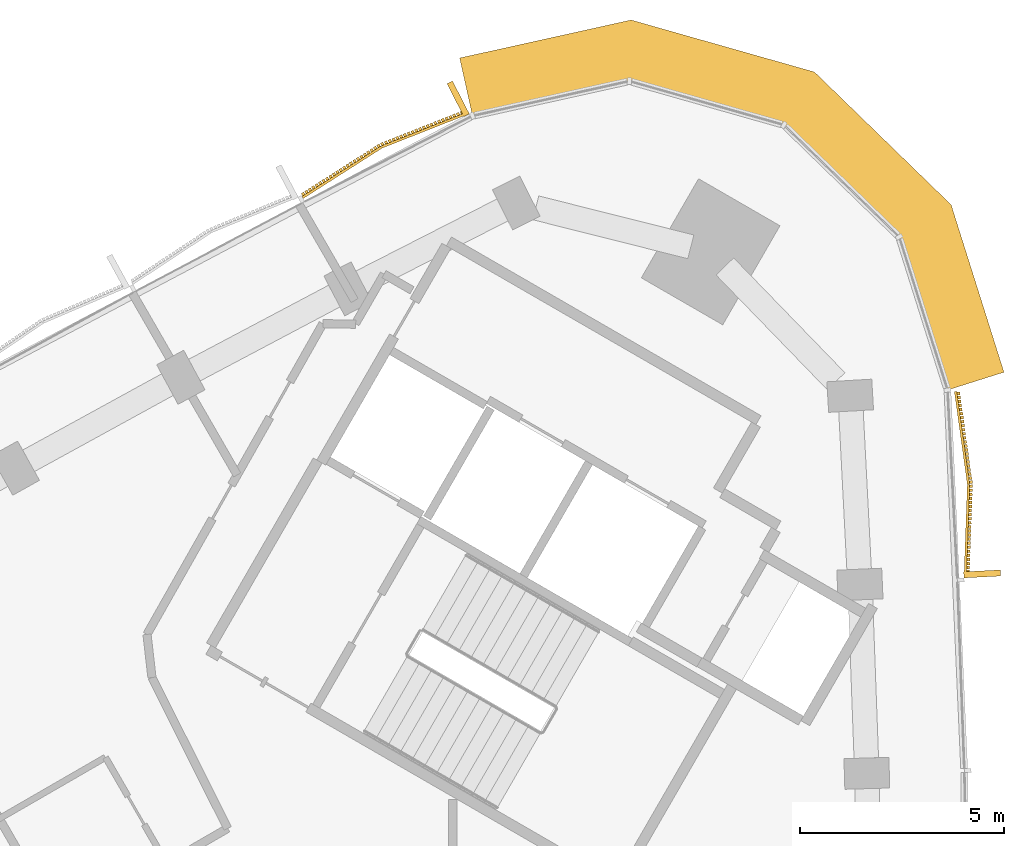
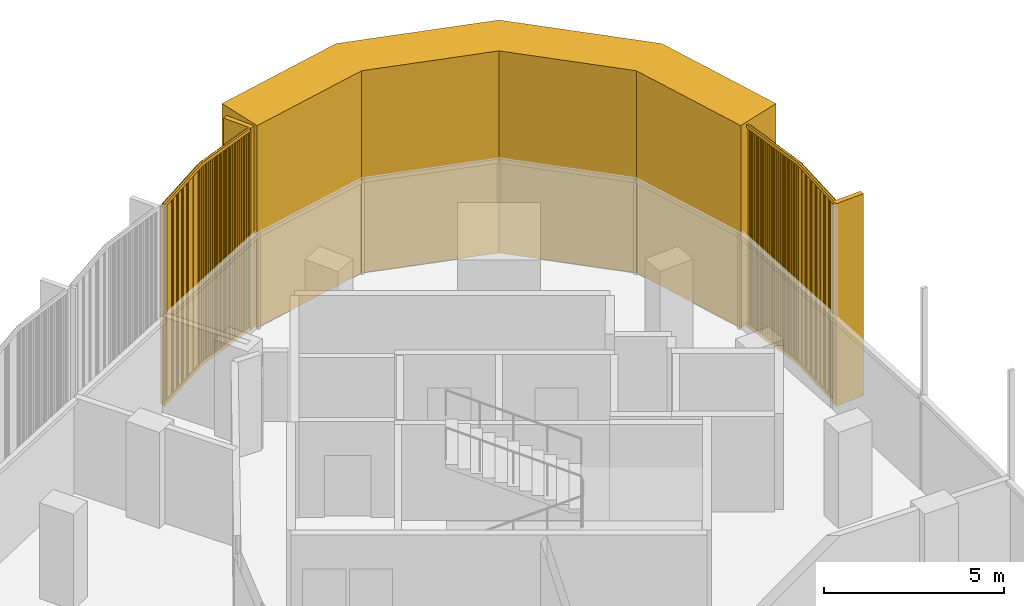
# One storey, part 16 of 16: 3 coverings.
"""IFC4 building model written with IfcOpenShell, lengths in metres."""

from ifc_helpers import new_model, si_unit, direction, frame, frame_2d, origin, place, context, subcontext, project, spatial, polyline, rectangle, outline, extrude, source, transform, mapped, material, layer, layer_set, type_object, element, save


model = new_model("IFC4")

# Units and contexts
model_context = context("Model", 3, precision=1e-05, world=origin(), true_north=direction((0.0, 1.0)))
body_context = subcontext(model_context, "Body", "Model", "MODEL_VIEW")
ifc_project = project(units=[si_unit("LENGTHUNIT", "METRE"), si_unit("AREAUNIT", "SQUARE_METRE"), si_unit("VOLUMEUNIT", "CUBIC_METRE"), si_unit("PLANEANGLEUNIT", "RADIAN"), si_unit("MASSUNIT", "GRAM", prefix="KILO")], contexts=[model_context])

# Site, building, storey
site_placement = place(None, origin())
site = spatial("IfcSite", under=ifc_project, at=site_placement, CompositionType="ELEMENT")
building_placement = place(site_placement, origin())
building = spatial("IfcBuilding", under=site, at=building_placement, Name="Tamra Quay Hotel Tower", CompositionType="ELEMENT")
storey_placement = place(building_placement, frame((0.0, 0.0, 243.0)))
storey = spatial("IfcBuildingStorey", under=building, at=storey_placement, Name="L61", CompositionType="ELEMENT", Elevation=243.0)

# Coverings
ifc_material_1 = material(Name="Precast concrete M60 terracotta-coloured", Category="masonry")
ifc_layer = layer(ifc_material_1, 1.449951171875)
ifc_layer_set = layer_set([ifc_layer], Name="CORNER PIER PANEL")
covering_type_1 = type_object("IfcCoveringType", Name="CORNER PIER PANEL", PredefinedType="CLADDING", material=ifc_layer_set)
covering_1_placement = place(storey_placement, origin())
element("IfcCovering", 1, at=covering_1_placement, inside=storey, type_object=covering_type_1, Name="Corner pier L61.east", PredefinedType="CLADDING", context=body_context, shape_type="SweptSolid", body=[
    extrude(outline(polyline([(18.50732421875, 18.63037109375), (19.89013671875, 19.066650390625), (18.5966796875, 23.165771484375), (15.250732421875, 26.415283203125), (10.763671875, 27.68798828125), (6.567138671875, 26.758544921875), (6.880615234375, 25.343017578125), (10.719970703125, 26.193115234375), (14.503173828125, 25.1201171875), (17.323974609375, 22.38037109375), (18.50732421875, 18.63037109375)])), origin(), (0.0, 0.0, 1.0), 6.85009765625),
])
ifc_material_2 = material(Name="Terracotta baguette extruded", Category="masonry")
covering_type_2 = type_object("IfcCoveringType", Name="BAGUETTE SCREEN E-V H6850", PredefinedType="USERDEFINED", material=ifc_material_2)
shared_shape_1 = source(origin(), body_context, "Body", "SweptSolid", [
    extrude(rectangle(XDim=2.291259765625, YDim=0.06005859375, at=frame_2d((1.1455078125, 0.030029296875))), frame((-2.287841796875, -0.057861328125, -0.1201171875), z_axis=(0.0, 0.0, 1.0), x_axis=(0.996194698092, -0.087155742748, 0.0)), (0.0, 0.0, 1.0), 0.1201171875),
    extrude(rectangle(XDim=2.291259765625, YDim=0.06005859375, at=frame_2d((1.1455078125, 0.030029296875))), frame((-2.287841796875, -0.057861328125, -6.85009765625), z_axis=(0.0, 0.0, 1.0), x_axis=(0.996194698092, -0.087155742748, 0.0)), (0.0, 0.0, 1.0), 0.1201171875),
    extrude(rectangle(XDim=0.070068359375, YDim=0.10009765625, at=frame_2d((0.03515625, 0.050048828125))), frame((-2.267822265625, -0.13232421875, -6.7900390625)), (0.0, 0.0, 1.0), 6.72998046875),
    extrude(rectangle(XDim=0.070068359375, YDim=0.10009765625, at=frame_2d((0.03515625, 0.050048828125))), frame((-2.168701171875, -0.14111328125, -6.7900390625)), (0.0, 0.0, 1.0), 6.72998046875),
    extrude(rectangle(XDim=0.070068359375, YDim=0.10009765625, at=frame_2d((0.03515625, 0.050048828125))), frame((-2.0693359375, -0.149658203125, -6.7900390625)), (0.0, 0.0, 1.0), 6.72998046875),
    extrude(rectangle(XDim=0.070068359375, YDim=0.10009765625, at=frame_2d((0.03515625, 0.050048828125))), frame((-1.97021484375, -0.158447265625, -6.7900390625)), (0.0, 0.0, 1.0), 6.72998046875),
    extrude(rectangle(XDim=0.070068359375, YDim=0.10009765625, at=frame_2d((0.03515625, 0.050048828125))), frame((-1.870849609375, -0.1669921875, -6.7900390625)), (0.0, 0.0, 1.0), 6.72998046875),
    extrude(rectangle(XDim=0.070068359375, YDim=0.10009765625, at=frame_2d((0.03515625, 0.050048828125))), frame((-1.771728515625, -0.17578125, -6.7900390625)), (0.0, 0.0, 1.0), 6.72998046875),
    extrude(rectangle(XDim=0.070068359375, YDim=0.10009765625, at=frame_2d((0.03515625, 0.050048828125))), frame((-1.67236328125, -0.184326171875, -6.7900390625)), (0.0, 0.0, 1.0), 6.72998046875),
    extrude(rectangle(XDim=0.070068359375, YDim=0.10009765625, at=frame_2d((0.03515625, 0.050048828125))), frame((-1.5732421875, -0.193115234375, -6.7900390625)), (0.0, 0.0, 1.0), 6.72998046875),
    extrude(rectangle(XDim=0.070068359375, YDim=0.10009765625, at=frame_2d((0.03515625, 0.050048828125))), frame((-1.473876953125, -0.201904296875, -6.7900390625)), (0.0, 0.0, 1.0), 6.72998046875),
    extrude(rectangle(XDim=0.070068359375, YDim=0.10009765625, at=frame_2d((0.03515625, 0.050048828125))), frame((-1.374755859375, -0.21044921875, -6.7900390625)), (0.0, 0.0, 1.0), 6.72998046875),
    extrude(rectangle(XDim=0.070068359375, YDim=0.10009765625, at=frame_2d((0.03515625, 0.050048828125))), frame((-1.275390625, -0.21923828125, -6.7900390625)), (0.0, 0.0, 1.0), 6.72998046875),
    extrude(rectangle(XDim=0.070068359375, YDim=0.10009765625, at=frame_2d((0.03515625, 0.050048828125))), frame((-1.17626953125, -0.227783203125, -6.7900390625)), (0.0, 0.0, 1.0), 6.72998046875),
    extrude(rectangle(XDim=0.070068359375, YDim=0.10009765625, at=frame_2d((0.03515625, 0.050048828125))), frame((-1.076904296875, -0.236572265625, -6.7900390625)), (0.0, 0.0, 1.0), 6.72998046875),
    extrude(rectangle(XDim=0.070068359375, YDim=0.10009765625, at=frame_2d((0.03515625, 0.050048828125))), frame((-0.977783203125, -0.2451171875, -6.7900390625)), (0.0, 0.0, 1.0), 6.72998046875),
    extrude(rectangle(XDim=0.070068359375, YDim=0.10009765625, at=frame_2d((0.03515625, 0.050048828125))), frame((-0.87841796875, -0.25390625, -6.7900390625)), (0.0, 0.0, 1.0), 6.72998046875),
    extrude(rectangle(XDim=0.070068359375, YDim=0.10009765625, at=frame_2d((0.03515625, 0.050048828125))), frame((-0.779296875, -0.2626953125, -6.7900390625)), (0.0, 0.0, 1.0), 6.72998046875),
    extrude(rectangle(XDim=0.070068359375, YDim=0.10009765625, at=frame_2d((0.03515625, 0.050048828125))), frame((-0.679931640625, -0.271240234375, -6.7900390625)), (0.0, 0.0, 1.0), 6.72998046875),
    extrude(rectangle(XDim=0.070068359375, YDim=0.10009765625, at=frame_2d((0.03515625, 0.050048828125))), frame((-0.580810546875, -0.280029296875, -6.7900390625)), (0.0, 0.0, 1.0), 6.72998046875),
    extrude(rectangle(XDim=0.070068359375, YDim=0.10009765625, at=frame_2d((0.03515625, 0.050048828125))), frame((-0.481689453125, -0.28857421875, -6.7900390625)), (0.0, 0.0, 1.0), 6.72998046875),
    extrude(rectangle(XDim=0.070068359375, YDim=0.10009765625, at=frame_2d((0.03515625, 0.050048828125))), frame((-0.38232421875, -0.29736328125, -6.7900390625)), (0.0, 0.0, 1.0), 6.72998046875),
    extrude(rectangle(XDim=0.070068359375, YDim=0.10009765625, at=frame_2d((0.03515625, 0.050048828125))), frame((-0.283203125, -0.305908203125, -6.7900390625)), (0.0, 0.0, 1.0), 6.72998046875),
    extrude(rectangle(XDim=0.070068359375, YDim=0.10009765625, at=frame_2d((0.03515625, 0.050048828125))), frame((-0.183837890625, -0.314697265625, -6.7900390625)), (0.0, 0.0, 1.0), 6.72998046875),
    extrude(rectangle(XDim=0.070068359375, YDim=0.10009765625, at=frame_2d((0.03515625, 0.050048828125))), frame((-0.084716796875, -0.3232421875, -6.7900390625)), (0.0, 0.0, 1.0), 6.72998046875),
    extrude(rectangle(XDim=2.291259765625, YDim=0.06005859375, at=frame_2d((1.1455078125, 0.030029296875))), frame((0.005126953125, -0.257568359375, -0.1201171875), z_axis=(0.0, 0.0, 1.0), x_axis=(0.996194698092, 0.087155742748, 0.0)), (0.0, 0.0, 1.0), 0.1201171875),
    extrude(rectangle(XDim=2.291259765625, YDim=0.06005859375, at=frame_2d((1.1455078125, 0.030029296875))), frame((0.005126953125, -0.257568359375, -6.85009765625), z_axis=(0.0, 0.0, 1.0), x_axis=(0.996194698092, 0.087155742748, 0.0)), (0.0, 0.0, 1.0), 0.1201171875),
    extrude(rectangle(XDim=0.070068359375, YDim=0.10009765625, at=frame_2d((0.03515625, 0.050048828125))), frame((0.0146484375, -0.3232421875, -6.7900390625)), (0.0, 0.0, 1.0), 6.72998046875),
    extrude(rectangle(XDim=0.070068359375, YDim=0.10009765625, at=frame_2d((0.03515625, 0.050048828125))), frame((0.11376953125, -0.314697265625, -6.7900390625)), (0.0, 0.0, 1.0), 6.72998046875),
    extrude(rectangle(XDim=0.070068359375, YDim=0.10009765625, at=frame_2d((0.03515625, 0.050048828125))), frame((0.213134765625, -0.305908203125, -6.7900390625)), (0.0, 0.0, 1.0), 6.72998046875),
    extrude(rectangle(XDim=0.070068359375, YDim=0.10009765625, at=frame_2d((0.03515625, 0.050048828125))), frame((0.312255859375, -0.29736328125, -6.7900390625)), (0.0, 0.0, 1.0), 6.72998046875),
    extrude(rectangle(XDim=0.070068359375, YDim=0.10009765625, at=frame_2d((0.03515625, 0.050048828125))), frame((0.41162109375, -0.28857421875, -6.7900390625)), (0.0, 0.0, 1.0), 6.72998046875),
    extrude(rectangle(XDim=0.070068359375, YDim=0.10009765625, at=frame_2d((0.03515625, 0.050048828125))), frame((0.5107421875, -0.280029296875, -6.7900390625)), (0.0, 0.0, 1.0), 6.72998046875),
    extrude(rectangle(XDim=0.070068359375, YDim=0.10009765625, at=frame_2d((0.03515625, 0.050048828125))), frame((0.610107421875, -0.271240234375, -6.7900390625)), (0.0, 0.0, 1.0), 6.72998046875),
    extrude(rectangle(XDim=0.070068359375, YDim=0.10009765625, at=frame_2d((0.03515625, 0.050048828125))), frame((0.709228515625, -0.2626953125, -6.7900390625)), (0.0, 0.0, 1.0), 6.72998046875),
    extrude(rectangle(XDim=0.070068359375, YDim=0.10009765625, at=frame_2d((0.03515625, 0.050048828125))), frame((0.80859375, -0.25390625, -6.7900390625)), (0.0, 0.0, 1.0), 6.72998046875),
    extrude(rectangle(XDim=0.070068359375, YDim=0.10009765625, at=frame_2d((0.03515625, 0.050048828125))), frame((0.90771484375, -0.2451171875, -6.7900390625)), (0.0, 0.0, 1.0), 6.72998046875),
    extrude(rectangle(XDim=0.070068359375, YDim=0.10009765625, at=frame_2d((0.03515625, 0.050048828125))), frame((1.007080078125, -0.236572265625, -6.7900390625)), (0.0, 0.0, 1.0), 6.72998046875),
    extrude(rectangle(XDim=0.070068359375, YDim=0.10009765625, at=frame_2d((0.03515625, 0.050048828125))), frame((1.106201171875, -0.227783203125, -6.7900390625)), (0.0, 0.0, 1.0), 6.72998046875),
    extrude(rectangle(XDim=0.070068359375, YDim=0.10009765625, at=frame_2d((0.03515625, 0.050048828125))), frame((1.20556640625, -0.21923828125, -6.7900390625)), (0.0, 0.0, 1.0), 6.72998046875),
    extrude(rectangle(XDim=0.070068359375, YDim=0.10009765625, at=frame_2d((0.03515625, 0.050048828125))), frame((1.3046875, -0.21044921875, -6.7900390625)), (0.0, 0.0, 1.0), 6.72998046875),
    extrude(rectangle(XDim=0.070068359375, YDim=0.10009765625, at=frame_2d((0.03515625, 0.050048828125))), frame((1.404052734375, -0.201904296875, -6.7900390625)), (0.0, 0.0, 1.0), 6.72998046875),
    extrude(rectangle(XDim=0.070068359375, YDim=0.10009765625, at=frame_2d((0.03515625, 0.050048828125))), frame((1.503173828125, -0.193115234375, -6.7900390625)), (0.0, 0.0, 1.0), 6.72998046875),
    extrude(rectangle(XDim=0.070068359375, YDim=0.10009765625, at=frame_2d((0.03515625, 0.050048828125))), frame((1.6025390625, -0.184326171875, -6.7900390625)), (0.0, 0.0, 1.0), 6.72998046875),
    extrude(rectangle(XDim=0.070068359375, YDim=0.10009765625, at=frame_2d((0.03515625, 0.050048828125))), frame((1.70166015625, -0.17578125, -6.7900390625)), (0.0, 0.0, 1.0), 6.72998046875),
    extrude(rectangle(XDim=0.070068359375, YDim=0.10009765625, at=frame_2d((0.03515625, 0.050048828125))), frame((1.801025390625, -0.1669921875, -6.7900390625)), (0.0, 0.0, 1.0), 6.72998046875),
    extrude(rectangle(XDim=0.070068359375, YDim=0.10009765625, at=frame_2d((0.03515625, 0.050048828125))), frame((1.900146484375, -0.158447265625, -6.7900390625)), (0.0, 0.0, 1.0), 6.72998046875),
    extrude(rectangle(XDim=0.070068359375, YDim=0.10009765625, at=frame_2d((0.03515625, 0.050048828125))), frame((1.99951171875, -0.149658203125, -6.7900390625)), (0.0, 0.0, 1.0), 6.72998046875),
    extrude(rectangle(XDim=0.070068359375, YDim=0.10009765625, at=frame_2d((0.03515625, 0.050048828125))), frame((2.0986328125, -0.14111328125, -6.7900390625)), (0.0, 0.0, 1.0), 6.72998046875),
    extrude(rectangle(XDim=0.070068359375, YDim=0.10009765625, at=frame_2d((0.03515625, 0.050048828125))), frame((2.197998046875, -0.13232421875, -6.7900390625)), (0.0, 0.0, 1.0), 6.72998046875),
    extrude(rectangle(XDim=0.14990234375, YDim=0.902099609375, at=frame_2d((0.074951171875, 0.451171875))), frame((-2.282470703125, -0.89990234375, -6.85009765625)), (0.0, 0.0, 1.0), 6.85009765625),
])
covering_2_placement = place(storey_placement, frame((18.794921875, 16.31201171875, 6.85009765625), z_axis=(0.0, 0.0, 1.0), x_axis=(-0.05140283052, 0.998678000666, 0.0)))
element("IfcCovering", 2, at=covering_2_placement, inside=storey, type_object=covering_type_2, Name="Baguette screen L61.E.f07", ObjectType="BAGUETTE SCREEN", PredefinedType="USERDEFINED", context=body_context, shape_type="MappedRepresentation", body=[
    mapped(shared_shape_1, transform((0.0, 0.0, 0.0), scale=1.0)),
])
covering_type_3 = type_object("IfcCoveringType", Name="BAGUETTE SCREEN NW-V H6850", PredefinedType="USERDEFINED", material=ifc_material_2)
shared_shape_2 = source(origin(), body_context, "Body", "SweptSolid", [
    extrude(rectangle(XDim=2.29296875, YDim=0.06005859375, at=frame_2d((1.146484375, 0.030029296875))), frame((-2.288330078125, -0.0576171875, -0.1201171875), z_axis=(0.0, 0.0, 1.0), x_axis=(0.995396198367, -0.09584575252, 0.0)), (0.0, 0.0, 1.0), 0.1201171875),
    extrude(rectangle(XDim=2.29296875, YDim=0.06005859375, at=frame_2d((1.146484375, 0.030029296875))), frame((-2.288330078125, -0.0576171875, -6.85009765625), z_axis=(0.0, 0.0, 1.0), x_axis=(0.995396198367, -0.09584575252, 0.0)), (0.0, 0.0, 1.0), 0.1201171875),
    extrude(rectangle(XDim=0.070068359375, YDim=0.10009765625, at=frame_2d((0.03515625, 0.050048828125))), frame((-2.267822265625, -0.1328125, -6.7900390625)), (0.0, 0.0, 1.0), 6.72998046875),
    extrude(rectangle(XDim=0.070068359375, YDim=0.10009765625, at=frame_2d((0.03515625, 0.050048828125))), frame((-2.168701171875, -0.142333984375, -6.7900390625)), (0.0, 0.0, 1.0), 6.72998046875),
    extrude(rectangle(XDim=0.070068359375, YDim=0.10009765625, at=frame_2d((0.03515625, 0.050048828125))), frame((-2.0693359375, -0.15185546875, -6.7900390625)), (0.0, 0.0, 1.0), 6.72998046875),
    extrude(rectangle(XDim=0.070068359375, YDim=0.10009765625, at=frame_2d((0.03515625, 0.050048828125))), frame((-1.97021484375, -0.161376953125, -6.7900390625)), (0.0, 0.0, 1.0), 6.72998046875),
    extrude(rectangle(XDim=0.070068359375, YDim=0.10009765625, at=frame_2d((0.03515625, 0.050048828125))), frame((-1.870849609375, -0.1708984375, -6.7900390625)), (0.0, 0.0, 1.0), 6.72998046875),
    extrude(rectangle(XDim=0.070068359375, YDim=0.10009765625, at=frame_2d((0.03515625, 0.050048828125))), frame((-1.771728515625, -0.1806640625, -6.7900390625)), (0.0, 0.0, 1.0), 6.72998046875),
    extrude(rectangle(XDim=0.070068359375, YDim=0.10009765625, at=frame_2d((0.03515625, 0.050048828125))), frame((-1.67236328125, -0.190185546875, -6.7900390625)), (0.0, 0.0, 1.0), 6.72998046875),
    extrude(rectangle(XDim=0.070068359375, YDim=0.10009765625, at=frame_2d((0.03515625, 0.050048828125))), frame((-1.5732421875, -0.19970703125, -6.7900390625)), (0.0, 0.0, 1.0), 6.72998046875),
    extrude(rectangle(XDim=0.070068359375, YDim=0.10009765625, at=frame_2d((0.03515625, 0.050048828125))), frame((-1.473876953125, -0.209228515625, -6.7900390625)), (0.0, 0.0, 1.0), 6.72998046875),
    extrude(rectangle(XDim=0.070068359375, YDim=0.10009765625, at=frame_2d((0.03515625, 0.050048828125))), frame((-1.374755859375, -0.21875, -6.7900390625)), (0.0, 0.0, 1.0), 6.72998046875),
    extrude(rectangle(XDim=0.070068359375, YDim=0.10009765625, at=frame_2d((0.03515625, 0.050048828125))), frame((-1.275390625, -0.228271484375, -6.7900390625)), (0.0, 0.0, 1.0), 6.72998046875),
    extrude(rectangle(XDim=0.070068359375, YDim=0.10009765625, at=frame_2d((0.03515625, 0.050048828125))), frame((-1.17626953125, -0.23779296875, -6.7900390625)), (0.0, 0.0, 1.0), 6.72998046875),
    extrude(rectangle(XDim=0.070068359375, YDim=0.10009765625, at=frame_2d((0.03515625, 0.050048828125))), frame((-1.076904296875, -0.24755859375, -6.7900390625)), (0.0, 0.0, 1.0), 6.72998046875),
    extrude(rectangle(XDim=0.070068359375, YDim=0.10009765625, at=frame_2d((0.03515625, 0.050048828125))), frame((-0.977783203125, -0.257080078125, -6.7900390625)), (0.0, 0.0, 1.0), 6.72998046875),
    extrude(rectangle(XDim=0.070068359375, YDim=0.10009765625, at=frame_2d((0.03515625, 0.050048828125))), frame((-0.87841796875, -0.2666015625, -6.7900390625)), (0.0, 0.0, 1.0), 6.72998046875),
    extrude(rectangle(XDim=0.070068359375, YDim=0.10009765625, at=frame_2d((0.03515625, 0.050048828125))), frame((-0.779296875, -0.276123046875, -6.7900390625)), (0.0, 0.0, 1.0), 6.72998046875),
    extrude(rectangle(XDim=0.070068359375, YDim=0.10009765625, at=frame_2d((0.03515625, 0.050048828125))), frame((-0.679931640625, -0.28564453125, -6.7900390625)), (0.0, 0.0, 1.0), 6.72998046875),
    extrude(rectangle(XDim=0.070068359375, YDim=0.10009765625, at=frame_2d((0.03515625, 0.050048828125))), frame((-0.580810546875, -0.295166015625, -6.7900390625)), (0.0, 0.0, 1.0), 6.72998046875),
    extrude(rectangle(XDim=0.070068359375, YDim=0.10009765625, at=frame_2d((0.03515625, 0.050048828125))), frame((-0.481689453125, -0.3046875, -6.7900390625)), (0.0, 0.0, 1.0), 6.72998046875),
    extrude(rectangle(XDim=0.070068359375, YDim=0.10009765625, at=frame_2d((0.03515625, 0.050048828125))), frame((-0.38232421875, -0.314453125, -6.7900390625)), (0.0, 0.0, 1.0), 6.72998046875),
    extrude(rectangle(XDim=0.070068359375, YDim=0.10009765625, at=frame_2d((0.03515625, 0.050048828125))), frame((-0.283203125, -0.323974609375, -6.7900390625)), (0.0, 0.0, 1.0), 6.72998046875),
    extrude(rectangle(XDim=0.070068359375, YDim=0.10009765625, at=frame_2d((0.03515625, 0.050048828125))), frame((-0.183837890625, -0.33349609375, -6.7900390625)), (0.0, 0.0, 1.0), 6.72998046875),
    extrude(rectangle(XDim=0.070068359375, YDim=0.10009765625, at=frame_2d((0.03515625, 0.050048828125))), frame((-0.084716796875, -0.343017578125, -6.7900390625)), (0.0, 0.0, 1.0), 6.72998046875),
    extrude(rectangle(XDim=2.29296875, YDim=0.06005859375, at=frame_2d((1.146484375, 0.030029296875))), frame((0.005859375, -0.277587890625, -0.1201171875), z_axis=(0.0, 0.0, 1.0), x_axis=(0.995396198367, 0.09584575252, 0.0)), (0.0, 0.0, 1.0), 0.1201171875),
    extrude(rectangle(XDim=2.29296875, YDim=0.06005859375, at=frame_2d((1.146484375, 0.030029296875))), frame((0.005859375, -0.277587890625, -6.85009765625), z_axis=(0.0, 0.0, 1.0), x_axis=(0.995396198367, 0.09584575252, 0.0)), (0.0, 0.0, 1.0), 0.1201171875),
    extrude(rectangle(XDim=0.070068359375, YDim=0.10009765625, at=frame_2d((0.03515625, 0.050048828125))), frame((0.0146484375, -0.343017578125, -6.7900390625)), (0.0, 0.0, 1.0), 6.72998046875),
    extrude(rectangle(XDim=0.070068359375, YDim=0.10009765625, at=frame_2d((0.03515625, 0.050048828125))), frame((0.11376953125, -0.33349609375, -6.7900390625)), (0.0, 0.0, 1.0), 6.72998046875),
    extrude(rectangle(XDim=0.070068359375, YDim=0.10009765625, at=frame_2d((0.03515625, 0.050048828125))), frame((0.213134765625, -0.323974609375, -6.7900390625)), (0.0, 0.0, 1.0), 6.72998046875),
    extrude(rectangle(XDim=0.070068359375, YDim=0.10009765625, at=frame_2d((0.03515625, 0.050048828125))), frame((0.312255859375, -0.314453125, -6.7900390625)), (0.0, 0.0, 1.0), 6.72998046875),
    extrude(rectangle(XDim=0.070068359375, YDim=0.10009765625, at=frame_2d((0.03515625, 0.050048828125))), frame((0.41162109375, -0.3046875, -6.7900390625)), (0.0, 0.0, 1.0), 6.72998046875),
    extrude(rectangle(XDim=0.070068359375, YDim=0.10009765625, at=frame_2d((0.03515625, 0.050048828125))), frame((0.5107421875, -0.295166015625, -6.7900390625)), (0.0, 0.0, 1.0), 6.72998046875),
    extrude(rectangle(XDim=0.070068359375, YDim=0.10009765625, at=frame_2d((0.03515625, 0.050048828125))), frame((0.610107421875, -0.28564453125, -6.7900390625)), (0.0, 0.0, 1.0), 6.72998046875),
    extrude(rectangle(XDim=0.070068359375, YDim=0.10009765625, at=frame_2d((0.03515625, 0.050048828125))), frame((0.709228515625, -0.276123046875, -6.7900390625)), (0.0, 0.0, 1.0), 6.72998046875),
    extrude(rectangle(XDim=0.070068359375, YDim=0.10009765625, at=frame_2d((0.03515625, 0.050048828125))), frame((0.80859375, -0.2666015625, -6.7900390625)), (0.0, 0.0, 1.0), 6.72998046875),
    extrude(rectangle(XDim=0.070068359375, YDim=0.10009765625, at=frame_2d((0.03515625, 0.050048828125))), frame((0.90771484375, -0.257080078125, -6.7900390625)), (0.0, 0.0, 1.0), 6.72998046875),
    extrude(rectangle(XDim=0.070068359375, YDim=0.10009765625, at=frame_2d((0.03515625, 0.050048828125))), frame((1.007080078125, -0.24755859375, -6.7900390625)), (0.0, 0.0, 1.0), 6.72998046875),
    extrude(rectangle(XDim=0.070068359375, YDim=0.10009765625, at=frame_2d((0.03515625, 0.050048828125))), frame((1.106201171875, -0.23779296875, -6.7900390625)), (0.0, 0.0, 1.0), 6.72998046875),
    extrude(rectangle(XDim=0.070068359375, YDim=0.10009765625, at=frame_2d((0.03515625, 0.050048828125))), frame((1.20556640625, -0.228271484375, -6.7900390625)), (0.0, 0.0, 1.0), 6.72998046875),
    extrude(rectangle(XDim=0.070068359375, YDim=0.10009765625, at=frame_2d((0.03515625, 0.050048828125))), frame((1.3046875, -0.21875, -6.7900390625)), (0.0, 0.0, 1.0), 6.72998046875),
    extrude(rectangle(XDim=0.070068359375, YDim=0.10009765625, at=frame_2d((0.03515625, 0.050048828125))), frame((1.404052734375, -0.209228515625, -6.7900390625)), (0.0, 0.0, 1.0), 6.72998046875),
    extrude(rectangle(XDim=0.070068359375, YDim=0.10009765625, at=frame_2d((0.03515625, 0.050048828125))), frame((1.503173828125, -0.19970703125, -6.7900390625)), (0.0, 0.0, 1.0), 6.72998046875),
    extrude(rectangle(XDim=0.070068359375, YDim=0.10009765625, at=frame_2d((0.03515625, 0.050048828125))), frame((1.6025390625, -0.190185546875, -6.7900390625)), (0.0, 0.0, 1.0), 6.72998046875),
    extrude(rectangle(XDim=0.070068359375, YDim=0.10009765625, at=frame_2d((0.03515625, 0.050048828125))), frame((1.70166015625, -0.1806640625, -6.7900390625)), (0.0, 0.0, 1.0), 6.72998046875),
    extrude(rectangle(XDim=0.070068359375, YDim=0.10009765625, at=frame_2d((0.03515625, 0.050048828125))), frame((1.801025390625, -0.1708984375, -6.7900390625)), (0.0, 0.0, 1.0), 6.72998046875),
    extrude(rectangle(XDim=0.070068359375, YDim=0.10009765625, at=frame_2d((0.03515625, 0.050048828125))), frame((1.900146484375, -0.161376953125, -6.7900390625)), (0.0, 0.0, 1.0), 6.72998046875),
    extrude(rectangle(XDim=0.070068359375, YDim=0.10009765625, at=frame_2d((0.03515625, 0.050048828125))), frame((1.99951171875, -0.15185546875, -6.7900390625)), (0.0, 0.0, 1.0), 6.72998046875),
    extrude(rectangle(XDim=0.070068359375, YDim=0.10009765625, at=frame_2d((0.03515625, 0.050048828125))), frame((2.0986328125, -0.142333984375, -6.7900390625)), (0.0, 0.0, 1.0), 6.72998046875),
    extrude(rectangle(XDim=0.070068359375, YDim=0.10009765625, at=frame_2d((0.03515625, 0.050048828125))), frame((2.197998046875, -0.1328125, -6.7900390625)), (0.0, 0.0, 1.0), 6.72998046875),
    extrude(rectangle(XDim=0.14990234375, YDim=0.902099609375, at=frame_2d((0.074951171875, 0.451171875))), frame((-2.282470703125, -0.89990234375, -6.85009765625)), (0.0, 0.0, 1.0), 6.85009765625),
])
covering_3_placement = place(storey_placement, frame((4.767822265625, 24.357177734375, 6.85009765625), z_axis=(0.0, 0.0, 1.0), x_axis=(-0.890581934038, -0.454822843276, 0.0)))
element("IfcCovering", 3, at=covering_3_placement, inside=storey, type_object=covering_type_3, Name="Baguette screen L61.NW.f00", ObjectType="BAGUETTE SCREEN", PredefinedType="USERDEFINED", context=body_context, shape_type="MappedRepresentation", body=[
    mapped(shared_shape_2, transform((0.0, 0.0, 0.0), scale=1.0)),
])

save(model, "model.ifc")
